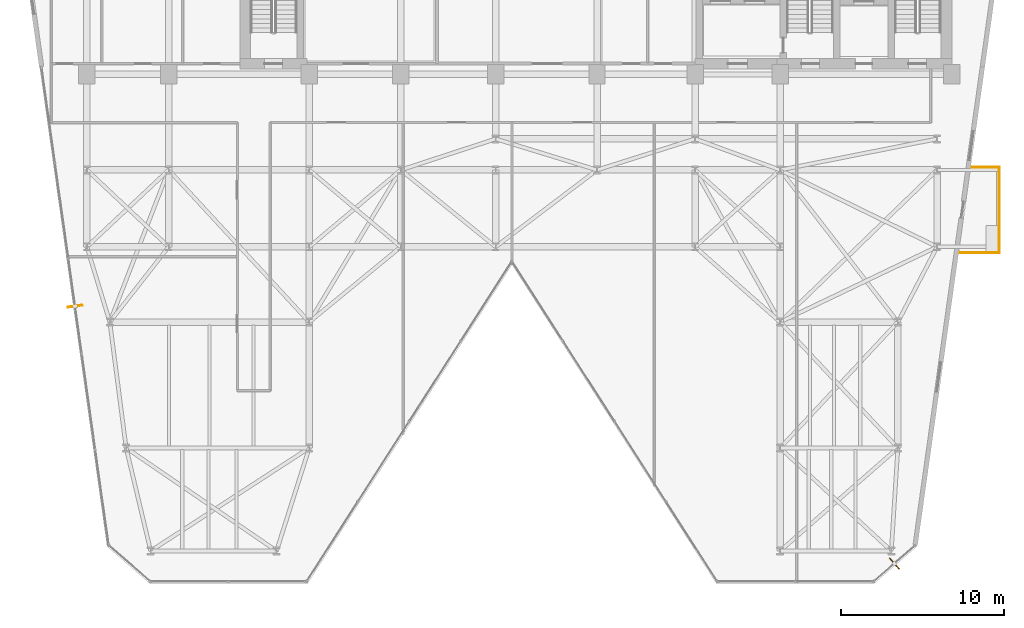
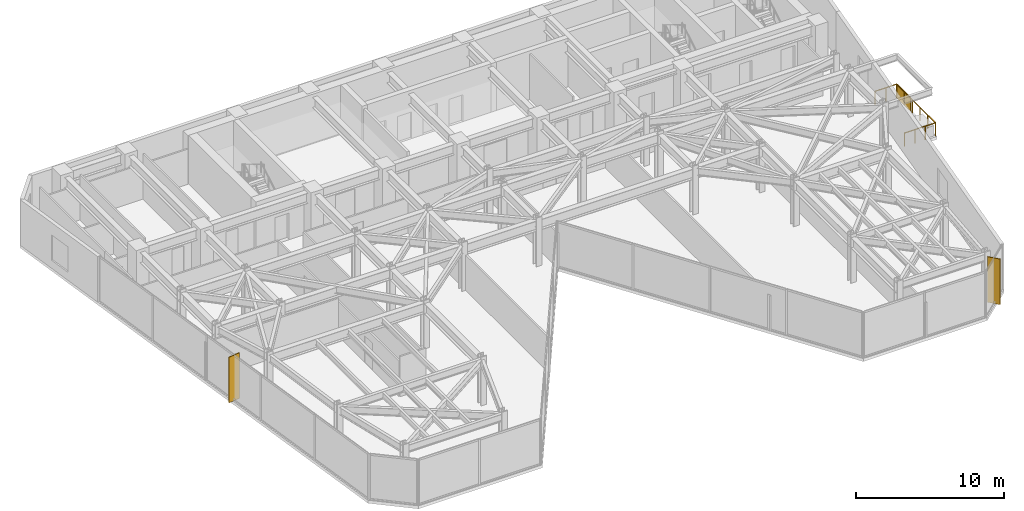
# One storey, part 24 of 26: 3 railings, 3 shading devices.
"""IFC4 building model written with IfcOpenShell, lengths in metres."""

import ifcopenshell
import ifcopenshell.guid

model = None  # the IFC model being written
_history = None  # IfcOwnerHistory: only IFC2X3 demands one
_inside = {}  # id of a spatial element -> (the spatial element, [elements in it])
_under = {}  # id of a project, library or spatial element -> (it, [spatial elements below it])
_declared = {}  # id of a project -> (the project, [libraries it declares])
_typed = {}  # id of a type object -> (the type object, [elements of that type])
_made_of = {}  # id of a material, layer set ... -> (it, [elements and type objects made of it])


def new_model(schema):
    """Start an empty IFC model of exactly this schema.

    Asked for "IFC4X3", IfcOpenShell would pick the latest addendum, in which some entities
    have other attributes; the version numbers below select the first issue.
    IFC2X3 requires an IfcOwnerHistory on every rooted entity: one is made here for all.
    """
    global model, _history
    if schema == "IFC4X3":
        model = ifcopenshell.file(schema_version=(4, 3, 0, 0))
    else:
        model = ifcopenshell.file(schema=schema)
    _inside.clear()
    _under.clear()
    _declared.clear()
    _typed.clear()
    _made_of.clear()
    _history = None
    if model.schema == "IFC2X3":
        org = make("IfcOrganization", Name="unknown")
        user = make(
            "IfcPersonAndOrganization",
            ThePerson=make("IfcPerson", FamilyName="unknown"),
            TheOrganization=org,
        )
        app = make(
            "IfcApplication",
            ApplicationDeveloper=org,
            Version="unknown",
            ApplicationFullName="unknown",
            ApplicationIdentifier="unknown",
        )
        _history = make(
            "IfcOwnerHistory",
            OwningUser=user,
            OwningApplication=app,
            ChangeAction="ADDED",
            CreationDate=0,
        )
    return model


def make(cls, **values):
    """One entity of the class cls with the attributes given. An attribute that is None is left unset."""
    return model.create_entity(
        cls, **{name: value for name, value in values.items() if value is not None}
    )


def rooted(cls, **values):
    """An entity with a GlobalId (a new one), such as an element, a storey or a relation."""
    return make(cls, GlobalId=ifcopenshell.guid.new(), OwnerHistory=_history, **values)


def si_unit(unit_type, name, prefix=None):
    """IfcSIUnit, for example si_unit("LENGTHUNIT", "METRE", prefix="MILLI")."""
    return make("IfcSIUnit", UnitType=unit_type, Prefix=prefix, Name=name)


def assignment(units):
    """IfcUnitAssignment: the units of a project."""
    return None if units is None else make("IfcUnitAssignment", Units=units)


def point(xyz):
    """IfcCartesianPoint."""
    return None if xyz is None else make("IfcCartesianPoint", Coordinates=xyz)


def direction(xyz):
    """IfcDirection."""
    return None if xyz is None else make("IfcDirection", DirectionRatios=xyz)


def frame(location, z_axis=None, x_axis=None):
    """IfcAxis2Placement3D, a coordinate frame: its origin and axes. An axis left out is left unset."""
    return make(
        "IfcAxis2Placement3D",
        Location=point(location),
        Axis=direction(z_axis),
        RefDirection=direction(x_axis),
    )


def frame_2d(location, x_axis=None):
    """IfcAxis2Placement2D, a coordinate frame in the plane: its origin and x axis."""
    return make(
        "IfcAxis2Placement2D", Location=point(location), RefDirection=direction(x_axis)
    )


def origin():
    """The frame at (0, 0, 0) with its axes left unset."""
    return frame((0.0, 0.0, 0.0))


def origin_2d():
    """The frame at (0, 0) in the plane with its x axis left unset."""
    return frame_2d((0.0, 0.0))


def place(relative_to, where):
    """IfcLocalPlacement: puts the frame where relative to a parent placement (None: the world)."""
    return make(
        "IfcLocalPlacement", PlacementRelTo=relative_to, RelativePlacement=where
    )


def context(
    kind, dimensions, precision=None, world=None, true_north=None, identifier=None
):
    """IfcGeometricRepresentationContext, for example the 3D "Model" context."""
    return make(
        "IfcGeometricRepresentationContext",
        ContextIdentifier=identifier,
        ContextType=kind,
        CoordinateSpaceDimension=dimensions,
        Precision=precision,
        WorldCoordinateSystem=world,
        TrueNorth=true_north,
    )


def subcontext(parent, identifier, kind, view, scale=None):
    """IfcGeometricRepresentationSubContext, for example "Body" below "Model"."""
    return make(
        "IfcGeometricRepresentationSubContext",
        ContextIdentifier=identifier,
        ContextType=kind,
        ParentContext=parent,
        TargetScale=scale,
        TargetView=view,
    )


def project(units=None, contexts=None):
    """IfcProject with its units and contexts."""
    return rooted(
        "IfcProject",
        Name="project",
        RepresentationContexts=contexts,
        UnitsInContext=assignment(units),
    )


def spatial(cls, under=None, at=None, **own):
    """A site, building, storey or space (cls), placed at a placement, below another one or the project."""
    s = rooted(cls, ObjectPlacement=at, **own)
    if under is not None:
        _under.setdefault(under.id(), (under, []))[1].append(s)
    return s


def profile(cls, at=None, kind="AREA", **sizes):
    """A parametric profile (cls). Its sizes go by their IFC names, for example OverallWidth=200.0."""
    return make(cls, ProfileType=kind, Position=at, **sizes)


def rectangle(**sizes):
    """IfcRectangleProfileDef."""
    return profile("IfcRectangleProfileDef", **sizes)


def circle(**sizes):
    """IfcCircleProfileDef."""
    return profile("IfcCircleProfileDef", **sizes)


def extrude(swept, where, along, depth):
    """IfcExtrudedAreaSolid: the profile swept, set in the frame where, extruded along a direction by depth."""
    return make(
        "IfcExtrudedAreaSolid",
        SweptArea=swept,
        Position=where,
        ExtrudedDirection=direction(along),
        Depth=depth,
    )


def shape(context_of_items, identifier, shape_type, items):
    """IfcShapeRepresentation: the items that make up one representation, for example the "Body"."""
    return make(
        "IfcShapeRepresentation",
        ContextOfItems=context_of_items,
        RepresentationIdentifier=identifier,
        RepresentationType=shape_type,
        Items=items,
    )


def material(Name=None, Category=None):
    """IfcMaterial."""
    return make("IfcMaterial", Name=Name, Category=Category)


def layer(
    of_material, thickness, ventilated=None, Name=None, Category=None, Priority=None
):
    """IfcMaterialLayer: one layer of a wall or slab, of a material (None: an air gap)."""
    return make(
        "IfcMaterialLayer",
        Material=of_material,
        LayerThickness=thickness,
        IsVentilated=ventilated,
        Name=Name,
        Category=Category,
        Priority=Priority,
    )


def layer_set(layers, Name=None):
    """IfcMaterialLayerSet."""
    return make("IfcMaterialLayerSet", MaterialLayers=layers, LayerSetName=Name)


def made_of(thing, what):
    """Note that an element or type object is made of a material, layer set ...; save() writes the relation."""
    if what is not None:
        _made_of.setdefault(what.id(), (what, []))[1].append(thing)
    return thing


def type_object(cls, material=None, **own):
    """A type object (cls), such as IfcWallType, which elements share."""
    return made_of(rooted(cls, **own), material)


def element(
    cls,
    number,
    at=None,
    inside=None,
    cuts=None,
    type_object=None,
    material=None,
    context=None,
    identifier="Body",
    shape_type=None,
    held_by="IfcProductDefinitionShape",
    body=None,
    shapes=None,
    **own,
):
    """One element of the class cls, such as IfcWall. Its Tag is "e" and its number.

    at: its placement. inside: the storey or other place that contains it. cuts: it is an
    opening in that element (IfcRelVoidsElement). A single representation is given by context,
    identifier, shape_type and body (its items); several are given by shapes. held_by: the class
    of the entity that holds the representations. save() writes the other relations.
    """
    e = rooted(cls, Tag="e%d" % number, ObjectPlacement=at, **own)
    if body is not None:
        shapes = [shape(context, identifier, shape_type, body)]
    if shapes is not None:
        e.Representation = make(held_by, Representations=shapes)
    if inside is not None:
        _inside.setdefault(inside.id(), (inside, []))[1].append(e)
    if cuts is not None:
        rooted(
            "IfcRelVoidsElement", RelatingBuildingElement=cuts, RelatedOpeningElement=e
        )
    if type_object is not None:
        _typed.setdefault(type_object.id(), (type_object, []))[1].append(e)
    return made_of(e, material)


def aggregate(whole, parts):
    """IfcRelAggregates: a whole, such as a stair, and the parts it consists of."""
    return rooted("IfcRelAggregates", RelatingObject=whole, RelatedObjects=parts)


def save(model, path):
    """Write the relations noted so far, then the file.

    IfcRelAggregates (storeys below a building ...), IfcRelContainedInSpatialStructure (elements
    in a storey), IfcRelDefinesByType, IfcRelAssociatesMaterial and IfcRelDeclares: one each for
    every whole, place, type object, material and project.
    """
    for whole, parts in _under.values():
        aggregate(whole, parts)
    for where, things in _inside.values():
        rooted(
            "IfcRelContainedInSpatialStructure",
            RelatedElements=things,
            RelatingStructure=where,
        )
    for kind, things in _typed.values():
        rooted("IfcRelDefinesByType", RelatedObjects=things, RelatingType=kind)
    for what, things in _made_of.values():
        rooted("IfcRelAssociatesMaterial", RelatedObjects=things, RelatingMaterial=what)
    for by, libraries in _declared.values():
        rooted("IfcRelDeclares", RelatingContext=by, RelatedDefinitions=libraries)
    model.write(path)


model = new_model("IFC4")

# Units and contexts
model_context = context("Model", 3, precision=1e-05, world=origin(), true_north=direction((0.0, 1.0)))
body_context = subcontext(model_context, "Body", "Model", "MODEL_VIEW")
ifc_project = project(units=[si_unit("LENGTHUNIT", "METRE"), si_unit("AREAUNIT", "SQUARE_METRE"), si_unit("VOLUMEUNIT", "CUBIC_METRE"), si_unit("PLANEANGLEUNIT", "RADIAN"), si_unit("MASSUNIT", "GRAM", prefix="KILO")], contexts=[model_context])

# Site, building, storey
site_placement = place(None, origin())
site = spatial("IfcSite", under=ifc_project, at=site_placement, CompositionType="ELEMENT")
building_placement = place(site_placement, origin())
building = spatial("IfcBuilding", under=site, at=building_placement, Name="Kravanh Interchange Tower", CompositionType="ELEMENT")
storey_placement = place(building_placement, frame((0.0, 0.0, 116.0)))
storey = spatial("IfcBuildingStorey", under=building, at=storey_placement, Name="L27", CompositionType="ELEMENT", Elevation=116.0)

# Shading device
ifc_material_1 = material(Name="Perforated Anodised Bronze Aluminium", Category="aluminium")
ifc_layer_1 = layer(ifc_material_1, 0.0400390625)
ifc_layer_set_1 = layer_set([ifc_layer_1], Name="Perforated Bronze Balcony Privacy Screen 1150mm")
shading_device_type_1 = type_object("IfcShadingDeviceType", Name="Perforated Bronze Balcony Privacy Screen 1150mm", PredefinedType="USERDEFINED", material=ifc_layer_set_1)
shading_device_placement = place(storey_placement, frame((69.409912109375, 30.699951171875, 0.0), z_axis=(0.0, 0.0, 1.0), x_axis=(1.0, 0.0, 0.0)))
element("IfcShadingDevice", 1, at=shading_device_placement, inside=storey, type_object=shading_device_type_1, Name="L27 E Perforated Bronze BALCONY SCREEN", ObjectType="SCREEN", PredefinedType="USERDEFINED", context=body_context, shape_type="SweptSolid", body=[
    extrude(rectangle(XDim=0.0400390625, YDim=1.800048828125, at=origin_2d()), origin(), (0.0, 0.0, 1.0), 1.14990234375),
])

# Railings
ifc_material_2 = material(Name="Stainless Steel 316", Category="steel")
ifc_layer_2 = layer(ifc_material_2, 0.06005859375)
ifc_layer_set_2 = layer_set([ifc_layer_2], Name="Perimeter Balcony and Terrace Guardrail Stainless 316 1120mm")
railing_type = type_object("IfcRailingType", Name="Perimeter Balcony and Terrace Guardrail Stainless 316 1120mm", PredefinedType="GUARDRAIL", material=ifc_layer_set_2)
railing_1_placement = place(storey_placement, frame((69.409912109375, 31.669921875, 0.0)))
element("IfcRailing", 2, at=railing_1_placement, inside=storey, type_object=railing_type, Name="L27 E Balcony Guardrail 1", PredefinedType="GUARDRAIL", context=body_context, shape_type="SweptSolid", body=[
    extrude(circle(Radius=0.02392578125, at=origin_2d()), frame((0.0, 0.0, 1.09619140625), z_axis=(0.0, -1.0, 0.0), x_axis=(1.0, 0.0, 0.0)), (0.0, 0.0, 1.0), 5.239990234375),
    extrude(circle(Radius=0.02099609375, at=origin_2d()), origin(), (0.0, 0.0, 1.0), 1.072021484375),
    extrude(circle(Radius=0.02099609375, at=origin_2d()), frame((0.0, -1.048095703125, 0.0)), (0.0, 0.0, 1.0), 1.072021484375),
    extrude(circle(Radius=0.02099609375, at=origin_2d()), frame((0.0, -2.095947265625, 0.0)), (0.0, 0.0, 1.0), 1.072021484375),
    extrude(circle(Radius=0.02099609375, at=origin_2d()), frame((0.0, -3.14404296875, 0.0)), (0.0, 0.0, 1.0), 1.072021484375),
    extrude(circle(Radius=0.02099609375, at=origin_2d()), frame((0.0, -4.19189453125, 0.0)), (0.0, 0.0, 1.0), 1.072021484375),
    extrude(circle(Radius=0.02099609375, at=origin_2d()), frame((0.0, -5.239990234375, 0.0)), (0.0, 0.0, 1.0), 1.072021484375),
])
railing_2_placement = place(storey_placement, frame((69.409912109375, 26.429931640625, 0.0)))
element("IfcRailing", 3, at=railing_2_placement, inside=storey, type_object=railing_type, Name="L27 E Balcony Guardrail 2", PredefinedType="GUARDRAIL", context=body_context, shape_type="SweptSolid", body=[
    extrude(circle(Radius=0.02392578125, at=origin_2d()), frame((0.0, 0.0, 1.09619140625), z_axis=(-1.0, 0.0, 0.0), x_axis=(0.0, -1.0, 0.0)), (0.0, 0.0, 1.0), 2.415771484375),
    extrude(circle(Radius=0.02099609375, at=origin_2d()), origin(), (0.0, 0.0, 1.0), 1.072021484375),
    extrude(circle(Radius=0.02099609375, at=origin_2d()), frame((-0.80517578125, 0.0, 0.0)), (0.0, 0.0, 1.0), 1.072021484375),
    extrude(circle(Radius=0.02099609375, at=origin_2d()), frame((-1.610595703125, 0.0, 0.0)), (0.0, 0.0, 1.0), 1.072021484375),
    extrude(circle(Radius=0.02099609375, at=origin_2d()), frame((-2.415771484375, 0.0, 0.0)), (0.0, 0.0, 1.0), 1.072021484375),
])
railing_3_placement = place(storey_placement, frame((67.730712890625, 31.669921875, 0.0)))
element("IfcRailing", 4, at=railing_3_placement, inside=storey, type_object=railing_type, Name="L27 E Balcony Guardrail 3", PredefinedType="GUARDRAIL", context=body_context, shape_type="SweptSolid", body=[
    extrude(circle(Radius=0.02392578125, at=origin_2d()), frame((0.0, 0.0, 1.09619140625), z_axis=(1.0, 0.0, 0.0), x_axis=(0.0, 1.0, 0.0)), (0.0, 0.0, 1.0), 1.67919921875),
    extrude(circle(Radius=0.02099609375, at=origin_2d()), origin(), (0.0, 0.0, 1.0), 1.072021484375),
    extrude(circle(Radius=0.02099609375, at=origin_2d()), frame((0.839599609375, 0.0, 0.0)), (0.0, 0.0, 1.0), 1.072021484375),
    extrude(circle(Radius=0.02099609375, at=origin_2d()), frame((1.67919921875, 0.0, 0.0)), (0.0, 0.0, 1.0), 1.072021484375),
])

# Shading devices
ifc_material_3 = material(Name="Anodised Champagne Bronze Aluminium", Category="aluminium")
ifc_layer_3 = layer(ifc_material_3, 0.06005859375)
ifc_layer_set_3 = layer_set([ifc_layer_3], Name="Vertical Bronze Solar Fin 900mm")
shading_device_type_2 = type_object("IfcShadingDeviceType", Name="Vertical Bronze Solar Fin 900mm", PredefinedType="USERDEFINED", material=ifc_layer_set_3)
for number, where, z_axis, x_axis, name in (
    (5, (12.881103515625, 23.16943359375, 0.0), (0.0, 0.0, 1.0), (-0.990268017027, -0.139173468924, 0.0), "L27 BRONZE SOLAR FIN 1"),
    (6, (62.986328125, 7.429443359375, 0.0), (0.0, 0.0, 1.0), (0.656056045951, -0.754712173329, 0.0), "L27 BRONZE SOLAR FIN 2"),
):
    element("IfcShadingDevice", number, at=place(storey_placement, frame(where, z_axis=z_axis, x_axis=x_axis)), inside=storey, type_object=shading_device_type_2, Name=name, ObjectType="FIN", PredefinedType="USERDEFINED", context=body_context, shape_type="SweptSolid", body=[
        extrude(rectangle(XDim=0.89990234375, YDim=0.06005859375, at=origin_2d()), origin(), (0.0, 0.0, 1.0), 3.75),
    ])

save(model, "model.ifc")
